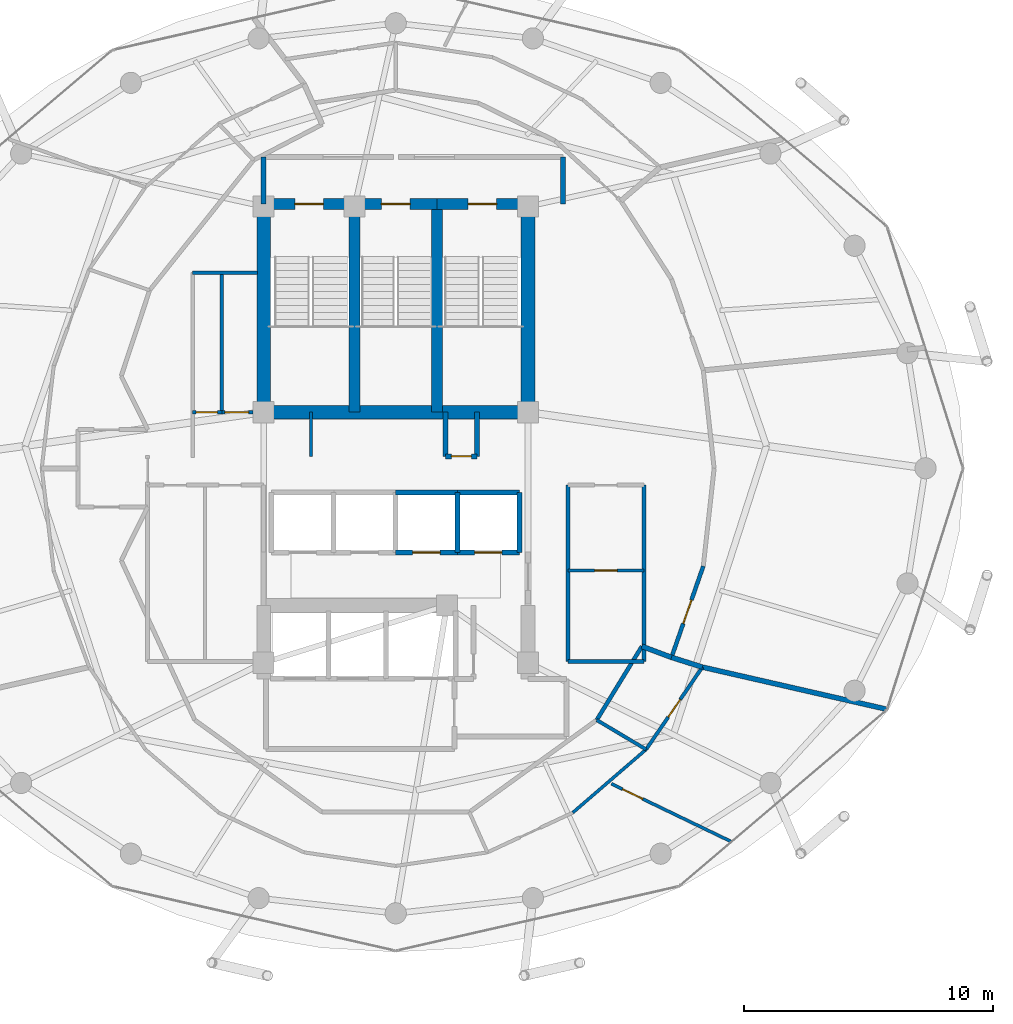
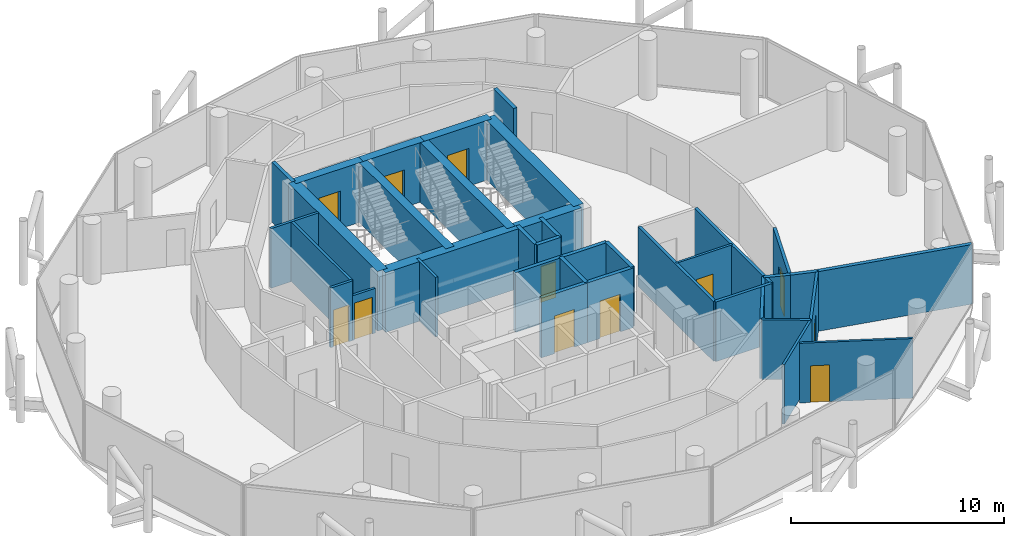
# One storey, part 24 of 27: 37 walls, 12 doors, 12 openings.
"""IFC4 building model written with IfcOpenShell, lengths in metres."""

from ifc_helpers import new_model, si_unit, direction, frame, frame_2d, origin, place, context, subcontext, project, spatial, rectangle, extrude, material, layer, layer_set, type_object, element, fill, save


model = new_model("IFC4")

# Units and contexts
model_context = context("Model", 3, precision=1e-05, world=origin(), true_north=direction((0.0, 1.0)))
body_context = subcontext(model_context, "Body", "Model", "MODEL_VIEW")
ifc_project = project(units=[si_unit("LENGTHUNIT", "METRE"), si_unit("AREAUNIT", "SQUARE_METRE"), si_unit("VOLUMEUNIT", "CUBIC_METRE"), si_unit("PLANEANGLEUNIT", "RADIAN"), si_unit("MASSUNIT", "GRAM", prefix="KILO")], contexts=[model_context])

# Site, building, storey
site_placement = place(None, origin())
site = spatial("IfcSite", under=ifc_project, at=site_placement, CompositionType="ELEMENT")
building_placement = place(site_placement, origin())
building = spatial("IfcBuilding", under=site, at=building_placement, Name="Nuhasar Tower", CompositionType="ELEMENT")
storey_placement = place(building_placement, frame((0.0, 0.0, 215.449951171875)))
storey = spatial("IfcBuildingStorey", under=building, at=storey_placement, Name="L52", CompositionType="ELEMENT", Elevation=215.449951171875)

# Wall, opening, door
ifc_material_1 = material(Name="Concrete C50/60", Category="concrete")
ifc_layer_1 = layer(ifc_material_1, 0.449951171875)
ifc_layer_set_1 = layer_set([ifc_layer_1], Name="Concrete C50/60")
wall_type_1 = type_object("IfcWallType", Name="WL-CORE-450", PredefinedType="SHEAR", material=ifc_layer_set_1)
wall_1_placement = place(storey_placement, frame((37.35009765625, 37.39990234375, 0.0), z_axis=(0.0, 0.0, 1.0), x_axis=(-1.0, 0.0, 0.0)))
wall_1 = element("IfcWall", 1, at=wall_1_placement, inside=storey, type_object=wall_type_1, Name="L52 Stairwell Shear Wall ST01-N", PredefinedType="SHEAR", context=body_context, shape_type="SweptSolid", body=[
    extrude(rectangle(XDim=3.650146484375, YDim=0.449951171875, at=frame_2d((1.8251953125, 0.0))), origin(), (0.0, 0.0, 1.0), 3.41015625),
])
opening_1_placement = place(wall_1_placement, frame((1.25, 0.0, 0.0)))
opening_1 = element("IfcOpeningElement", 2, at=opening_1_placement, cuts=wall_1, Name="Opening DS-01", PredefinedType="OPENING", context=body_context, shape_type="SweptSolid", body=[
    extrude(rectangle(XDim=1.14990234375, YDim=2.14990234375, at=frame_2d((0.574951171875, 1.074951171875))), frame((0.0, 0.23486328125, 0.0), z_axis=(0.0, -1.0, 0.0), x_axis=(1.0, 0.0, 0.0)), (0.0, 0.0, 1.0), 0.469970703125),
])
ifc_material_2 = material(Name="Steel S355", Category="steel")
door_type_1 = type_object("IfcDoorType", Name="DR-STAIR-FD120-1150", OperationType="NOTDEFINED", PredefinedType="DOOR", material=ifc_material_2)
door_1_placement = place(opening_1_placement, origin())
door_1 = element("IfcDoor", 3, at=door_1_placement, inside=storey, type_object=door_type_1, Name="L52 Exit Stair ST-01 Door", OperationType="SINGLE_SWING_RIGHT", OverallHeight=2.14990234375, OverallWidth=1.14990234375, PredefinedType="DOOR", context=body_context, shape_type="SweptSolid", body=[
    extrude(rectangle(XDim=1.14990234375, YDim=2.14990234375, at=frame_2d((0.574951171875, 1.074951171875))), frame((0.0, 0.02490234375, 0.0), z_axis=(0.0, -1.0, 0.0), x_axis=(1.0, 0.0, 0.0)), (0.0, 0.0, 1.0), 0.050048828125),
])
fill(opening_1, door_1)

# Wall
wall_2_placement = place(storey_placement, frame((37.35009765625, 29.050048828125, 0.0), z_axis=(0.0, 0.0, 1.0), x_axis=(0.0, 1.0, 0.0)))
element("IfcWall", 4, at=wall_2_placement, inside=storey, type_object=wall_type_1, Name="L52 Stairwell Shear Wall ST01-E", PredefinedType="SHEAR", context=body_context, shape_type="SweptSolid", body=[
    extrude(rectangle(XDim=8.349853515625, YDim=0.449951171875, at=frame_2d((4.1748046875, 0.0))), origin(), (0.0, 0.0, 1.0), 3.41015625),
])

# Wall, opening, door
wall_3_placement = place(storey_placement, frame((40.64990234375, 37.39990234375, 0.0), z_axis=(0.0, 0.0, 1.0), x_axis=(-1.0, 0.0, 0.0)))
wall_3 = element("IfcWall", 5, at=wall_3_placement, inside=storey, type_object=wall_type_1, Name="L52 Stairwell Shear Wall ST03-N", PredefinedType="SHEAR", context=body_context, shape_type="SweptSolid", body=[
    extrude(rectangle(XDim=3.2998046875, YDim=0.449951171875, at=frame_2d((1.64990234375, 0.0))), origin(), (0.0, 0.0, 1.0), 3.41015625),
])
opening_2_placement = place(wall_3_placement, frame((1.074951171875, 0.0, 0.0)))
opening_2 = element("IfcOpeningElement", 6, at=opening_2_placement, cuts=wall_3, Name="Opening DS-01", PredefinedType="OPENING", context=body_context, shape_type="SweptSolid", body=[
    extrude(rectangle(XDim=1.14990234375, YDim=2.14990234375, at=frame_2d((0.574951171875, 1.074951171875))), frame((0.0, 0.23486328125, 0.0), z_axis=(0.0, -1.0, 0.0), x_axis=(1.0, 0.0, 0.0)), (0.0, 0.0, 1.0), 0.469970703125),
])
door_2_placement = place(opening_2_placement, origin())
door_2 = element("IfcDoor", 7, at=door_2_placement, inside=storey, type_object=door_type_1, Name="L52 Exit Stair ST-03 Door", OperationType="SINGLE_SWING_RIGHT", OverallHeight=2.14990234375, OverallWidth=1.14990234375, PredefinedType="DOOR", context=body_context, shape_type="SweptSolid", body=[
    extrude(rectangle(XDim=1.14990234375, YDim=2.14990234375, at=frame_2d((0.574951171875, 1.074951171875))), frame((0.0, 0.02490234375, 0.0), z_axis=(0.0, -1.0, 0.0), x_axis=(1.0, 0.0, 0.0)), (0.0, 0.0, 1.0), 0.050048828125),
])
fill(opening_2, door_2)

# Wall
wall_4_placement = place(storey_placement, frame((40.64990234375, 29.050048828125, 0.0), z_axis=(0.0, 0.0, 1.0), x_axis=(0.0, 1.0, 0.0)))
element("IfcWall", 8, at=wall_4_placement, inside=storey, type_object=wall_type_1, Name="L52 Stairwell Shear Wall ST03-E", PredefinedType="SHEAR", context=body_context, shape_type="SweptSolid", body=[
    extrude(rectangle(XDim=8.349853515625, YDim=0.449951171875, at=frame_2d((4.1748046875, 0.0))), origin(), (0.0, 0.0, 1.0), 3.41015625),
])

# Wall, opening, door
wall_5_placement = place(storey_placement, frame((44.300048828125, 37.39990234375, 0.0), z_axis=(0.0, 0.0, 1.0), x_axis=(-1.0, 0.0, 0.0)))
wall_5 = element("IfcWall", 9, at=wall_5_placement, inside=storey, type_object=wall_type_1, Name="L52 Stairwell Shear Wall ST02-N", PredefinedType="SHEAR", context=body_context, shape_type="SweptSolid", body=[
    extrude(rectangle(XDim=3.650146484375, YDim=0.449951171875, at=frame_2d((1.8251953125, 0.0))), origin(), (0.0, 0.0, 1.0), 3.41015625),
])
opening_3_placement = place(wall_5_placement, frame((1.25, 0.0, 0.0)))
opening_3 = element("IfcOpeningElement", 10, at=opening_3_placement, cuts=wall_5, Name="Opening DS-01", PredefinedType="OPENING", context=body_context, shape_type="SweptSolid", body=[
    extrude(rectangle(XDim=1.14990234375, YDim=2.14990234375, at=frame_2d((0.574951171875, 1.074951171875))), frame((0.0, 0.23486328125, 0.0), z_axis=(0.0, -1.0, 0.0), x_axis=(1.0, 0.0, 0.0)), (0.0, 0.0, 1.0), 0.469970703125),
])
door_3_placement = place(opening_3_placement, origin())
door_3 = element("IfcDoor", 11, at=door_3_placement, inside=storey, type_object=door_type_1, Name="L52 Exit Stair ST-02 Door", OperationType="SINGLE_SWING_LEFT", OverallHeight=2.14990234375, OverallWidth=1.14990234375, PredefinedType="DOOR", context=body_context, shape_type="SweptSolid", body=[
    extrude(rectangle(XDim=1.14990234375, YDim=2.14990234375, at=frame_2d((0.574951171875, 1.074951171875))), frame((0.0, 0.02490234375, 0.0), z_axis=(0.0, -1.0, 0.0), x_axis=(1.0, 0.0, 0.0)), (0.0, 0.0, 1.0), 0.050048828125),
])
fill(opening_3, door_3)

# Walls
ifc_material_3 = material(Name="Concrete C55/67", Category="concrete")
ifc_layer_2 = layer(ifc_material_3, 0.550048828125)
ifc_layer_set_2 = layer_set([ifc_layer_2], Name="Concrete C55/67")
wall_type_2 = type_object("IfcWallType", Name="WL-CORE-550", PredefinedType="SHEAR", material=ifc_layer_set_2)
for number, where, z_axis, x_axis, name in (
    (12, (33.699951171875, 29.050048828125, 0.0), (0.0, 0.0, 1.0), (0.0, 1.0, 0.0), "L52 Core Shear Wall CW-NW CW-550"),
    (13, (44.300048828125, 29.050048828125, 0.0), (0.0, 0.0, 1.0), (0.0, 1.0, 0.0), "L52 Core Shear Wall CW-NE CW-550"),
):
    element("IfcWall", number, at=place(storey_placement, frame(where, z_axis=z_axis, x_axis=x_axis)), inside=storey, type_object=wall_type_2, Name=name, PredefinedType="SHEAR", context=body_context, shape_type="SweptSolid", body=[
        extrude(rectangle(XDim=8.349853515625, YDim=0.550048828125, at=frame_2d((4.1748046875, 0.0))), origin(), (0.0, 0.0, 1.0), 3.41015625),
    ])
wall_6_placement = place(storey_placement, frame((33.699951171875, 29.050048828125, 0.0), z_axis=(0.0, 0.0, 1.0), x_axis=(1.0, 0.0, 0.0)))
element("IfcWall", 14, at=wall_6_placement, inside=storey, type_object=wall_type_2, Name="L52 Core Shear Wall CW-N1 CW-550", PredefinedType="SHEAR", context=body_context, shape_type="SweptSolid", body=[
    extrude(rectangle(XDim=10.60009765625, YDim=0.550048828125, at=frame_2d((5.300048828125, 0.0))), origin(), (0.0, 0.0, 1.0), 3.41015625),
])
ifc_material_4 = material(Name="Gypsum Board", Category="gypsum")
ifc_layer_3 = layer(ifc_material_4, 0.159912109375)
ifc_layer_set_3 = layer_set([ifc_layer_3], Name="Gypsum Board")
wall_type_3 = type_object("IfcWallType", Name="WL-CORR-160", PredefinedType="PARTITIONING", material=ifc_layer_set_3)
wall_7_placement = place(storey_placement, frame((45.89990234375, 19.050048828125, 0.0), z_axis=(0.0, 0.0, 1.0), x_axis=(1.0, 0.0, 0.0)))
element("IfcWall", 15, at=wall_7_placement, inside=storey, type_object=wall_type_3, Name="L52 Interior Partition RECL-B2-S", PredefinedType="PARTITIONING", context=body_context, shape_type="SweptSolid", body=[
    extrude(rectangle(XDim=3.050048828125, YDim=0.159912109375, at=frame_2d((1.52490234375, 0.0))), origin(), (0.0, 0.0, 1.0), 3.41015625),
])
for number, where, z_axis, x_axis, name in (
    (16, (48.949951171875, 19.050048828125, 0.0), (0.0, 0.0, 1.0), (0.0, 1.0, 0.0), "L52 Interior Partition RECL-B2-E"),
    (17, (45.89990234375, 19.050048828125, 0.0), (0.0, 0.0, 1.0), (0.0, 1.0, 0.0), "L52 Interior Partition RECL-B2-W"),
):
    element("IfcWall", number, at=place(storey_placement, frame(where, z_axis=z_axis, x_axis=x_axis)), inside=storey, type_object=wall_type_3, Name=name, PredefinedType="PARTITIONING", context=body_context, shape_type="SweptSolid", body=[
        extrude(rectangle(XDim=7.070068359375, YDim=0.159912109375, at=frame_2d((3.53515625, 0.0))), origin(), (0.0, 0.0, 1.0), 3.41015625),
    ])

# Wall, opening, door
wall_8_placement = place(storey_placement, frame((51.3349609375, 22.8740234375, 0.0), z_axis=(0.0, 0.0, 1.0), x_axis=(-0.32925850992, -0.944239817867, 0.0)))
wall_8 = element("IfcWall", 18, at=wall_8_placement, inside=storey, type_object=wall_type_3, Name="L52 Interior Partition CORR-44", PredefinedType="PARTITIONING", context=body_context, shape_type="SweptSolid", body=[
    extrude(rectangle(XDim=3.875, YDim=0.159912109375, at=frame_2d((1.9375, 0.0))), origin(), (0.0, 0.0, 1.0), 3.41015625),
])
opening_4_placement = place(wall_8_placement, frame((1.43798828125, 0.0, 0.0)))
opening_4 = element("IfcOpeningElement", 19, at=opening_4_placement, cuts=wall_8, Name="Opening DU-02", PredefinedType="OPENING", context=body_context, shape_type="SweptSolid", body=[
    extrude(rectangle(XDim=1.0, YDim=2.14990234375, at=frame_2d((0.5, 1.074951171875))), frame((0.0, 0.08984375, 0.0), z_axis=(0.0, -1.0, 0.0), x_axis=(1.0, 0.0, 0.0)), (0.0, 0.0, 1.0), 0.179931640625),
])
ifc_material_5 = material(Name="Timber Oak", Category="wood")
door_type_2 = type_object("IfcDoorType", Name="DR-FLAT-FD60-1000", OperationType="NOTDEFINED", PredefinedType="DOOR", material=ifc_material_5)
door_4_placement = place(opening_4_placement, origin())
door_4 = element("IfcDoor", 20, at=door_4_placement, inside=storey, type_object=door_type_2, Name="L52 Sky Fitness Gym Entrance Door", OperationType="SINGLE_SWING_RIGHT", OverallHeight=2.14990234375, OverallWidth=1.0, PredefinedType="DOOR", context=body_context, shape_type="SweptSolid", body=[
    extrude(rectangle(XDim=1.0, YDim=2.14990234375, at=frame_2d((0.5, 1.074951171875))), frame((0.0, 0.02490234375, 0.0), z_axis=(0.0, -1.0, 0.0), x_axis=(1.0, 0.0, 0.0)), (0.0, 0.0, 1.0), 0.050048828125),
])
fill(opening_4, door_4)

# Walls
wall_9_placement = place(storey_placement, frame((47.06103515625, 16.702880859375, 0.0), z_axis=(0.0, 0.0, 1.0), x_axis=(0.522486120877, 0.852647789823, 0.0)))
element("IfcWall", 21, at=wall_9_placement, inside=storey, type_object=wall_type_3, Name="L52 Interior Partition UWEST-CORE-S2-42", PredefinedType="PARTITIONING", context=body_context, shape_type="SweptSolid", body=[
    extrude(rectangle(XDim=3.468017578125, YDim=0.159912109375, at=frame_2d((1.73388671875, 0.0))), origin(), (0.0, 0.0, 1.0), 3.41015625),
])
ifc_material_6 = material(Name="Concrete C45/55", Category="concrete")
ifc_layer_4 = layer(ifc_material_6, 0.199951171875)
ifc_layer_set_4 = layer_set([ifc_layer_4], Name="Concrete C45/55")
wall_type_4 = type_object("IfcWallType", Name="WL-LOBBY-200", PredefinedType="SOLIDWALL", material=ifc_layer_set_4)
for number, where, z_axis, x_axis, name in (
    (22, (33.699951171875, 37.39990234375, 0.0), (0.0, 0.0, 1.0), (0.0, 1.0, 0.0), "L52 Interior Partition NSL-W"),
    (23, (45.699951171875, 37.39990234375, 0.0), (0.0, 0.0, 1.0), (0.0, 1.0, 0.0), "L52 Interior Partition NSL-E"),
):
    element("IfcWall", number, at=place(storey_placement, frame(where, z_axis=z_axis, x_axis=x_axis)), inside=storey, type_object=wall_type_4, Name=name, PredefinedType="SOLIDWALL", context=body_context, shape_type="SweptSolid", body=[
        extrude(rectangle(XDim=1.880126953125, YDim=0.199951171875, at=frame_2d((0.93994140625, 0.0))), origin(), (0.0, 0.0, 1.0), 3.41015625),
    ])

# Wall, opening, door
ifc_layer_5 = layer(ifc_material_4, 0.125)
ifc_layer_set_5 = layer_set([ifc_layer_5], Name="Gypsum Board")
wall_type_5 = type_object("IfcWallType", Name="WL-PART-125", PredefinedType="PARTITIONING", material=ifc_layer_set_5)
wall_10_placement = place(storey_placement, frame((48.949951171875, 22.699951171875, 0.0), z_axis=(0.0, 0.0, 1.0), x_axis=(-1.0, 0.0, 0.0)))
wall_10 = element("IfcWall", 24, at=wall_10_placement, inside=storey, type_object=wall_type_5, Name="L52 Interior Partition RECL-B2-M", PredefinedType="PARTITIONING", context=body_context, shape_type="SweptSolid", body=[
    extrude(rectangle(XDim=3.050048828125, YDim=0.125, at=frame_2d((1.52490234375, 0.0))), origin(), (0.0, 0.0, 1.0), 3.41015625),
])
opening_5_placement = place(wall_10_placement, frame((1.074951171875, 0.0, 0.0)))
opening_5 = element("IfcOpeningElement", 25, at=opening_5_placement, cuts=wall_10, Name="Opening DR-01", PredefinedType="OPENING", context=body_context, shape_type="SweptSolid", body=[
    extrude(rectangle(XDim=0.89990234375, YDim=2.10009765625, at=frame_2d((0.449951171875, 1.050048828125))), frame((0.0, 0.072509765625, 0.0), z_axis=(0.0, -1.0, 0.0), x_axis=(1.0, 0.0, 0.0)), (0.0, 0.0, 1.0), 0.14501953125),
])
door_type_3 = type_object("IfcDoorType", Name="DR-ROOM-900", OperationType="NOTDEFINED", PredefinedType="DOOR", material=ifc_material_5)
door_5_placement = place(opening_5_placement, origin())
door_5 = element("IfcDoor", 26, at=door_5_placement, inside=storey, type_object=door_type_3, Name="L52 Inner Vault Door", OperationType="SINGLE_SWING_RIGHT", OverallHeight=2.10009765625, OverallWidth=0.89990234375, PredefinedType="DOOR", context=body_context, shape_type="SweptSolid", body=[
    extrude(rectangle(XDim=0.89990234375, YDim=2.10009765625, at=frame_2d((0.449951171875, 1.050048828125))), frame((0.0, 0.02490234375, 0.0), z_axis=(0.0, -1.0, 0.0), x_axis=(1.0, 0.0, 0.0)), (0.0, 0.0, 1.0), 0.050048828125),
])
fill(opening_5, door_5)

# Wall
wall_11_placement = place(storey_placement, frame((46.10009765625, 12.987060546875, 0.0), z_axis=(0.0, 0.0, 1.0), x_axis=(0.757456069071, 0.652886133585, 0.0)))
element("IfcWall", 27, at=wall_11_placement, inside=storey, type_object=wall_type_5, Name="L52 Interior Partition USM-2-K-40", PredefinedType="PARTITIONING", context=body_context, shape_type="SweptSolid", body=[
    extrude(rectangle(XDim=3.882568359375, YDim=0.125, at=frame_2d((1.94140625, 0.0))), origin(), (0.0, 0.0, 1.0), 3.41015625),
])

# Wall, opening, door
wall_12_placement = place(storey_placement, frame((47.64404296875, 14.14599609375, 0.0), z_axis=(0.0, 0.0, 1.0), x_axis=(0.900716165112, -0.434408091437, 0.0)))
wall_12 = element("IfcWall", 28, at=wall_12_placement, inside=storey, type_object=wall_type_5, Name="L52 Interior Partition USO-2-BD", PredefinedType="PARTITIONING", context=body_context, shape_type="SweptSolid", body=[
    extrude(rectangle(XDim=5.32666015625, YDim=0.125, at=frame_2d((2.663330078125, 0.0))), origin(), (0.0, 0.0, 1.0), 3.41015625),
])
opening_6_placement = place(wall_12_placement, frame((0.501953125, 0.0, 0.0)))
opening_6 = element("IfcOpeningElement", 29, at=opening_6_placement, cuts=wall_12, Name="Opening DR-01", PredefinedType="OPENING", context=body_context, shape_type="SweptSolid", body=[
    extrude(rectangle(XDim=0.89990234375, YDim=2.10009765625, at=frame_2d((0.449951171875, 1.050048828125))), frame((0.0, 0.072509765625, 0.0), z_axis=(0.0, -1.0, 0.0), x_axis=(1.0, 0.0, 0.0)), (0.0, 0.0, 1.0), 0.14501953125),
])
door_6_placement = place(opening_6_placement, origin())
door_6 = element("IfcDoor", 30, at=door_6_placement, inside=storey, type_object=door_type_3, Name="L52 South-West Sky Home Master Bedroom Door", OperationType="SINGLE_SWING_LEFT", OverallHeight=2.10009765625, OverallWidth=0.89990234375, PredefinedType="DOOR", context=body_context, shape_type="SweptSolid", body=[
    extrude(rectangle(XDim=0.89990234375, YDim=2.10009765625, at=frame_2d((0.449951171875, 1.050048828125))), frame((0.0, 0.02490234375, 0.0), z_axis=(0.0, -1.0, 0.0), x_axis=(1.0, 0.0, 0.0)), (0.0, 0.0, 1.0), 0.050048828125),
])
fill(opening_6, door_6)

# Walls
ifc_layer_6 = layer(ifc_material_6, 0.199951171875)
ifc_layer_set_6 = layer_set([ifc_layer_6], Name="Concrete C45/55")
wall_type_6 = type_object("IfcWallType", Name="WL-SHAFT-200", PredefinedType="SOLIDWALL", material=ifc_layer_set_6)
for number, where, z_axis, x_axis, name in (
    (31, (41.0, 27.280029296875, 0.0), (0.0, 0.0, 1.0), (0.0, 1.0, 0.0), "L52 Interior Partition RSRN-W"),
    (32, (42.260009765625, 27.280029296875, 0.0), (0.0, 0.0, 1.0), (0.0, 1.0, 0.0), "L52 Interior Partition RSRN-E"),
):
    element("IfcWall", number, at=place(storey_placement, frame(where, z_axis=z_axis, x_axis=x_axis)), inside=storey, type_object=wall_type_6, Name=name, PredefinedType="SOLIDWALL", context=body_context, shape_type="SweptSolid", body=[
        extrude(rectangle(XDim=1.77001953125, YDim=0.199951171875, at=frame_2d((0.885009765625, 0.0))), origin(), (0.0, 0.0, 1.0), 3.41015625),
    ])

# Wall, opening, door
wall_13_placement = place(storey_placement, frame((41.0, 27.280029296875, 0.0), z_axis=(0.0, 0.0, 1.0), x_axis=(1.0, 0.0, 0.0)))
wall_13 = element("IfcWall", 33, at=wall_13_placement, inside=storey, type_object=wall_type_6, Name="L52 Interior Partition RSRN-S", PredefinedType="SOLIDWALL", context=body_context, shape_type="SweptSolid", body=[
    extrude(rectangle(XDim=1.260009765625, YDim=0.199951171875, at=frame_2d((0.6298828125, 0.0))), origin(), (0.0, 0.0, 1.0), 3.41015625),
])
opening_7_placement = place(wall_13_placement, frame((0.22998046875, 0.0, 0.0)))
opening_7 = element("IfcOpeningElement", 34, at=opening_7_placement, cuts=wall_13, Name="Opening DM-01", PredefinedType="OPENING", context=body_context, shape_type="SweptSolid", body=[
    extrude(rectangle(XDim=0.800048828125, YDim=2.050048828125, at=frame_2d((0.39990234375, 1.02490234375))), frame((0.0, 0.10986328125, 0.0), z_axis=(0.0, -1.0, 0.0), x_axis=(1.0, 0.0, 0.0)), (0.0, 0.0, 1.0), 0.219970703125),
])
door_type_4 = type_object("IfcDoorType", Name="DR-RISER-FD60-800", OperationType="NOTDEFINED", PredefinedType="DOOR", material=ifc_material_2)
door_7_placement = place(opening_7_placement, origin())
door_7 = element("IfcDoor", 35, at=door_7_placement, inside=storey, type_object=door_type_4, Name="L52 North Smoke Riser Door", OperationType="SINGLE_SWING_RIGHT", OverallHeight=2.050048828125, OverallWidth=0.800048828125, PredefinedType="DOOR", context=body_context, shape_type="SweptSolid", body=[
    extrude(rectangle(XDim=0.800048828125, YDim=2.050048828125, at=frame_2d((0.39990234375, 1.02490234375))), frame((0.0, 0.02490234375, 0.0), z_axis=(0.0, -1.0, 0.0), x_axis=(1.0, 0.0, 0.0)), (0.0, 0.0, 1.0), 0.050048828125),
])
fill(opening_7, door_7)

wall_14_placement = place(storey_placement, frame((38.97998046875, 23.419921875, 0.0), z_axis=(0.0, 0.0, 1.0), x_axis=(1.0, 0.0, 0.0)))
wall_14 = element("IfcWall", 36, at=wall_14_placement, inside=storey, type_object=wall_type_6, Name="L52 Interior Partition SHF-PL-H03-S", PredefinedType="SOLIDWALL", context=body_context, shape_type="SweptSolid", body=[
    extrude(rectangle(XDim=2.5, YDim=0.199951171875, at=frame_2d((1.25, 0.0))), origin(), (0.0, 0.0, 1.0), 3.41015625),
])
opening_8_placement = place(wall_14_placement, frame((0.699951171875, 0.0, 0.0)))
opening_8 = element("IfcOpeningElement", 37, at=opening_8_placement, cuts=wall_14, Name="Opening LD-H03", PredefinedType="OPENING", context=body_context, shape_type="SweptSolid", body=[
    extrude(rectangle(XDim=1.10009765625, YDim=2.14990234375, at=frame_2d((0.550048828125, 1.074951171875))), frame((0.0, 0.10986328125, 0.0), z_axis=(0.0, -1.0, 0.0), x_axis=(1.0, 0.0, 0.0)), (0.0, 0.0, 1.0), 0.219970703125),
])
ifc_material_7 = material(Name="Stainless Steel 316L", Category="steel")
door_type_5 = type_object("IfcDoorType", Name="LD-PAX-1100", OperationType="DOUBLE_DOOR_SLIDING", PredefinedType="DOOR", material=ifc_material_7)
door_8_placement = place(opening_8_placement, origin())
door_8 = element("IfcDoor", 38, at=door_8_placement, inside=storey, type_object=door_type_5, Name="L52 Lift Landing Door PL-H03", OperationType="DOUBLE_DOOR_SLIDING", OverallHeight=2.14990234375, OverallWidth=1.10009765625, PredefinedType="DOOR", context=body_context, shape_type="SweptSolid", body=[
    extrude(rectangle(XDim=1.10009765625, YDim=2.14990234375, at=frame_2d((0.550048828125, 1.074951171875))), frame((0.0, 0.02490234375, 0.0), z_axis=(0.0, -1.0, 0.0), x_axis=(1.0, 0.0, 0.0)), (0.0, 0.0, 1.0), 0.050048828125),
])
fill(opening_8, door_8)

# Walls
wall_15_placement = place(storey_placement, frame((38.97998046875, 25.830078125, 0.0), z_axis=(0.0, 0.0, 1.0), x_axis=(1.0, 0.0, 0.0)))
element("IfcWall", 39, at=wall_15_placement, inside=storey, type_object=wall_type_6, Name="L52 Interior Partition SHF-PL-H03-N", PredefinedType="SOLIDWALL", context=body_context, shape_type="SweptSolid", body=[
    extrude(rectangle(XDim=2.5, YDim=0.199951171875, at=frame_2d((1.25, 0.0))), origin(), (0.0, 0.0, 1.0), 3.41015625),
])
wall_16_placement = place(storey_placement, frame((41.469970703125, 23.419921875, 0.0), z_axis=(0.0, 0.0, 1.0), x_axis=(0.0, 1.0, 0.0)))
element("IfcWall", 40, at=wall_16_placement, inside=storey, type_object=wall_type_6, Name="L52 Interior Partition SHF-PL-H03-E", PredefinedType="SOLIDWALL", context=body_context, shape_type="SweptSolid", body=[
    extrude(rectangle(XDim=2.41015625, YDim=0.199951171875, at=frame_2d((1.205078125, 0.0))), origin(), (0.0, 0.0, 1.0), 3.41015625),
])

# Wall, opening, door
wall_17_placement = place(storey_placement, frame((41.4599609375, 23.419921875, 0.0), z_axis=(0.0, 0.0, 1.0), x_axis=(1.0, 0.0, 0.0)))
wall_17 = element("IfcWall", 41, at=wall_17_placement, inside=storey, type_object=wall_type_6, Name="L52 Interior Partition SHF-PL-H04-S", PredefinedType="SOLIDWALL", context=body_context, shape_type="SweptSolid", body=[
    extrude(rectangle(XDim=2.5, YDim=0.199951171875, at=frame_2d((1.25, 0.0))), origin(), (0.0, 0.0, 1.0), 3.41015625),
])
opening_9_placement = place(wall_17_placement, frame((0.699951171875, 0.0, 0.0)))
opening_9 = element("IfcOpeningElement", 42, at=opening_9_placement, cuts=wall_17, Name="Opening LD-H04", PredefinedType="OPENING", context=body_context, shape_type="SweptSolid", body=[
    extrude(rectangle(XDim=1.10009765625, YDim=2.14990234375, at=frame_2d((0.550048828125, 1.074951171875))), frame((0.0, 0.10986328125, 0.0), z_axis=(0.0, -1.0, 0.0), x_axis=(1.0, 0.0, 0.0)), (0.0, 0.0, 1.0), 0.219970703125),
])
door_9_placement = place(opening_9_placement, origin())
door_9 = element("IfcDoor", 43, at=door_9_placement, inside=storey, type_object=door_type_5, Name="L52 Lift Landing Door PL-H04", OperationType="DOUBLE_DOOR_SLIDING", OverallHeight=2.14990234375, OverallWidth=1.10009765625, PredefinedType="DOOR", context=body_context, shape_type="SweptSolid", body=[
    extrude(rectangle(XDim=1.10009765625, YDim=2.14990234375, at=frame_2d((0.550048828125, 1.074951171875))), frame((0.0, 0.02490234375, 0.0), z_axis=(0.0, -1.0, 0.0), x_axis=(1.0, 0.0, 0.0)), (0.0, 0.0, 1.0), 0.050048828125),
])
fill(opening_9, door_9)

# Walls
wall_18_placement = place(storey_placement, frame((41.4599609375, 25.830078125, 0.0), z_axis=(0.0, 0.0, 1.0), x_axis=(1.0, 0.0, 0.0)))
element("IfcWall", 44, at=wall_18_placement, inside=storey, type_object=wall_type_6, Name="L52 Interior Partition SHF-PL-H04-N", PredefinedType="SOLIDWALL", context=body_context, shape_type="SweptSolid", body=[
    extrude(rectangle(XDim=2.5, YDim=0.199951171875, at=frame_2d((1.25, 0.0))), origin(), (0.0, 0.0, 1.0), 3.41015625),
])
wall_19_placement = place(storey_placement, frame((43.9599609375, 23.419921875, 0.0), z_axis=(0.0, 0.0, 1.0), x_axis=(0.0, 1.0, 0.0)))
element("IfcWall", 45, at=wall_19_placement, inside=storey, type_object=wall_type_6, Name="L52 Interior Partition SHF-PL-H04-E", PredefinedType="SOLIDWALL", context=body_context, shape_type="SweptSolid", body=[
    extrude(rectangle(XDim=2.41015625, YDim=0.199951171875, at=frame_2d((1.205078125, 0.0))), origin(), (0.0, 0.0, 1.0), 3.41015625),
])
ifc_material_8 = material(Name="Concrete C40/50 precast", Category="concrete")
ifc_layer_7 = layer(ifc_material_8, 0.199951171875)
ifc_layer_set_7 = layer_set([ifc_layer_7], Name="Concrete C40/50 precast")
wall_type_7 = type_object("IfcWallType", Name="WL-UNIT-200", PredefinedType="PARTITIONING", material=ifc_layer_set_7)
wall_20_placement = place(storey_placement, frame((48.873046875, 19.659912109375, 0.0), z_axis=(0.0, 0.0, 1.0), x_axis=(0.93631333527, -0.351165684821, 0.0)))
element("IfcWall", 46, at=wall_20_placement, inside=storey, type_object=wall_type_7, Name="L52 Interior Partition URAD-44-SW-S1", PredefinedType="PARTITIONING", context=body_context, shape_type="SweptSolid", body=[
    extrude(rectangle(XDim=1.2666015625, YDim=0.199951171875, at=frame_2d((0.63330078125, 0.0))), origin(), (0.0, 0.0, 1.0), 3.41015625),
])
wall_21_placement = place(storey_placement, frame((50.05908203125, 19.215087890625, 0.0), z_axis=(0.0, 0.0, 1.0), x_axis=(0.953832301714, -0.300339708008, 0.0)))
element("IfcWall", 47, at=wall_21_placement, inside=storey, type_object=wall_type_7, Name="L52 Interior Partition URAD-44-SW-S2", PredefinedType="PARTITIONING", context=body_context, shape_type="SweptSolid", body=[
    extrude(rectangle(XDim=1.299072265625, YDim=0.199951171875, at=frame_2d((0.6494140625, 0.0))), origin(), (0.0, 0.0, 1.0), 3.41015625),
])
wall_22_placement = place(storey_placement, frame((51.298095703125, 18.824951171875, 0.0), z_axis=(0.0, 0.0, 1.0), x_axis=(0.97483809237, -0.222914094809, 0.0)))
element("IfcWall", 48, at=wall_22_placement, inside=storey, type_object=wall_type_7, Name="L52 Interior Partition URAD-44-SW-S3", PredefinedType="PARTITIONING", context=body_context, shape_type="SweptSolid", body=[
    extrude(rectangle(XDim=7.572265625, YDim=0.199951171875, at=frame_2d((3.7861328125, 0.0))), origin(), (0.0, 0.0, 1.0), 3.41015625),
])
ifc_layer_8 = layer(ifc_material_8, 0.139892578125)
ifc_layer_set_8 = layer_set([ifc_layer_8], Name="Concrete C40/50 precast")
wall_type_8 = type_object("IfcWallType", Name="WL-WET-140", PredefinedType="PARTITIONING", material=ifc_layer_set_8)
wall_23_placement = place(storey_placement, frame((35.60009765625, 27.280029296875, 0.0), z_axis=(0.0, 0.0, 1.0), x_axis=(0.0, 1.0, 0.0)))
element("IfcWall", 49, at=wall_23_placement, inside=storey, type_object=wall_type_8, Name="L52 Interior Partition CSVC-W", PredefinedType="PARTITIONING", context=body_context, shape_type="SweptSolid", body=[
    extrude(rectangle(XDim=1.77001953125, YDim=0.139892578125, at=frame_2d((0.885009765625, 0.0))), origin(), (0.0, 0.0, 1.0), 3.41015625),
])

# Wall, opening, door
wall_24_placement = place(storey_placement, frame((30.85009765625, 29.050048828125, 0.0), z_axis=(0.0, 0.0, 1.0), x_axis=(1.0, 0.0, 0.0)))
wall_24 = element("IfcWall", 50, at=wall_24_placement, inside=storey, type_object=wall_type_8, Name="L52 Interior Partition K2-NW-S", PredefinedType="PARTITIONING", context=body_context, shape_type="SweptSolid", body=[
    extrude(rectangle(XDim=1.179931640625, YDim=0.139892578125, at=frame_2d((0.58984375, 0.0))), origin(), (0.0, 0.0, 1.0), 3.41015625),
])
opening_10_placement = place(wall_24_placement, frame((0.139892578125, 0.0, 0.0)))
opening_10 = element("IfcOpeningElement", 51, at=opening_10_placement, cuts=wall_24, Name="Opening DB-01", PredefinedType="OPENING", context=body_context, shape_type="SweptSolid", body=[
    extrude(rectangle(XDim=0.85009765625, YDim=2.10009765625, at=frame_2d((0.425048828125, 1.050048828125))), frame((0.0, 0.080078125, 0.0), z_axis=(0.0, -1.0, 0.0), x_axis=(1.0, 0.0, 0.0)), (0.0, 0.0, 1.0), 0.159912109375),
])
door_type_6 = type_object("IfcDoorType", Name="DR-BATH-850", OperationType="NOTDEFINED", PredefinedType="DOOR", material=ifc_material_5)
door_10_placement = place(opening_10_placement, origin())
door_10 = element("IfcDoor", 52, at=door_10_placement, inside=storey, type_object=door_type_6, Name="L52 NW Female WC Door", OperationType="SINGLE_SWING_LEFT", OverallHeight=2.10009765625, OverallWidth=0.85009765625, PredefinedType="DOOR", context=body_context, shape_type="SweptSolid", body=[
    extrude(rectangle(XDim=0.85009765625, YDim=2.10009765625, at=frame_2d((0.425048828125, 1.050048828125))), frame((0.0, 0.02490234375, 0.0), z_axis=(0.0, -1.0, 0.0), x_axis=(1.0, 0.0, 0.0)), (0.0, 0.0, 1.0), 0.050048828125),
])
fill(opening_10, door_10)

wall_25_placement = place(storey_placement, frame((32.030029296875, 29.050048828125, 0.0), z_axis=(0.0, 0.0, 1.0), x_axis=(1.0, 0.0, 0.0)))
wall_25 = element("IfcWall", 53, at=wall_25_placement, inside=storey, type_object=wall_type_8, Name="L52 Interior Partition K2-NW-S", PredefinedType="PARTITIONING", context=body_context, shape_type="SweptSolid", body=[
    extrude(rectangle(XDim=1.25, YDim=0.139892578125, at=frame_2d((0.625, 0.0))), origin(), (0.0, 0.0, 1.0), 2.550048828125),
])
opening_11_placement = place(wall_25_placement, frame((0.1201171875, 0.0, 0.0)))
opening_11 = element("IfcOpeningElement", 54, at=opening_11_placement, cuts=wall_25, Name="Opening DA-01", PredefinedType="OPENING", context=body_context, shape_type="SweptSolid", body=[
    extrude(rectangle(XDim=0.949951171875, YDim=2.10009765625, at=frame_2d((0.47509765625, 1.050048828125))), frame((0.0, 0.080078125, 0.0), z_axis=(0.0, -1.0, 0.0), x_axis=(1.0, 0.0, 0.0)), (0.0, 0.0, 1.0), 0.159912109375),
])
door_type_7 = type_object("IfcDoorType", Name="DR-ACCWC-950", OperationType="NOTDEFINED", PredefinedType="DOOR", material=ifc_material_5)
door_11_placement = place(opening_11_placement, origin())
door_11 = element("IfcDoor", 55, at=door_11_placement, inside=storey, type_object=door_type_7, Name="L52 NW Accessible WC Door", OperationType="SINGLE_SWING_RIGHT", OverallHeight=2.10009765625, OverallWidth=0.949951171875, PredefinedType="DOOR", context=body_context, shape_type="SweptSolid", body=[
    extrude(rectangle(XDim=0.949951171875, YDim=2.10009765625, at=frame_2d((0.47509765625, 1.050048828125))), frame((0.0, 0.02490234375, 0.0), z_axis=(0.0, -1.0, 0.0), x_axis=(1.0, 0.0, 0.0)), (0.0, 0.0, 1.0), 0.050048828125),
])
fill(opening_11, door_11)

# Walls
wall_26_placement = place(storey_placement, frame((32.02001953125, 29.050048828125, 0.0), z_axis=(0.0, 0.0, 1.0), x_axis=(0.0, 1.0, 0.0)))
element("IfcWall", 56, at=wall_26_placement, inside=storey, type_object=wall_type_8, Name="L52 Interior Partition K2-NW-V", PredefinedType="PARTITIONING", context=body_context, shape_type="SweptSolid", body=[
    extrude(rectangle(XDim=5.599853515625, YDim=0.139892578125, at=frame_2d((2.7998046875, 0.0))), origin(), (0.0, 0.0, 1.0), 3.41015625),
])
wall_27_placement = place(storey_placement, frame((30.85009765625, 34.64990234375, 0.0), z_axis=(0.0, 0.0, 1.0), x_axis=(1.0, 0.0, 0.0)))
element("IfcWall", 57, at=wall_27_placement, inside=storey, type_object=wall_type_8, Name="L52 Interior Partition K2-NW-N", PredefinedType="PARTITIONING", context=body_context, shape_type="SweptSolid", body=[
    extrude(rectangle(XDim=2.599853515625, YDim=0.139892578125, at=frame_2d((1.2998046875, 0.0))), origin(), (0.0, 0.0, 1.0), 3.41015625),
])

# Wall, opening, door
wall_28_placement = place(storey_placement, frame((51.298095703125, 18.824951171875, 0.0), z_axis=(0.0, 0.0, 1.0), x_axis=(-0.56419813198, -0.825639429697, 0.0)))
wall_28 = element("IfcWall", 58, at=wall_28_placement, inside=storey, type_object=wall_type_8, Name="L52 Interior Partition USM-2-B-42", PredefinedType="PARTITIONING", context=body_context, shape_type="SweptSolid", body=[
    extrude(rectangle(XDim=4.00048828125, YDim=0.139892578125, at=frame_2d((2.000244140625, 0.0))), origin(), (0.0, 0.0, 1.0), 3.41015625),
])
opening_12_placement = place(wall_28_placement, frame((1.574951171875, 0.0, 0.0)))
opening_12 = element("IfcOpeningElement", 59, at=opening_12_placement, cuts=wall_28, Name="Opening DB-01", PredefinedType="OPENING", context=body_context, shape_type="SweptSolid", body=[
    extrude(rectangle(XDim=0.85009765625, YDim=2.10009765625, at=frame_2d((0.425048828125, 1.050048828125))), frame((0.0, 0.080078125, 0.0), z_axis=(0.0, -1.0, 0.0), x_axis=(1.0, 0.0, 0.0)), (0.0, 0.0, 1.0), 0.159912109375),
])
door_12_placement = place(opening_12_placement, origin())
door_12 = element("IfcDoor", 60, at=door_12_placement, inside=storey, type_object=door_type_6, Name="L52 South-West Sky Home En-Suite Door", OperationType="SINGLE_SWING_RIGHT", OverallHeight=2.10009765625, OverallWidth=0.85009765625, PredefinedType="DOOR", context=body_context, shape_type="SweptSolid", body=[
    extrude(rectangle(XDim=0.85009765625, YDim=2.10009765625, at=frame_2d((0.425048828125, 1.050048828125))), frame((0.0, 0.02490234375, 0.0), z_axis=(0.0, -1.0, 0.0), x_axis=(1.0, 0.0, 0.0)), (0.0, 0.0, 1.0), 0.050048828125),
])
fill(opening_12, door_12)

# Wall
wall_29_placement = place(storey_placement, frame((47.06103515625, 16.702880859375, 0.0), z_axis=(0.0, 0.0, 1.0), x_axis=(0.858844842863, -0.512235820583, 0.0)))
element("IfcWall", 61, at=wall_29_placement, inside=storey, type_object=wall_type_8, Name="L52 Interior Partition USI-2-KB", PredefinedType="PARTITIONING", context=body_context, shape_type="SweptSolid", body=[
    extrude(rectangle(XDim=2.305419921875, YDim=0.139892578125, at=frame_2d((1.15283203125, 0.0))), origin(), (0.0, 0.0, 1.0), 3.41015625),
])

save(model, "model.ifc")
